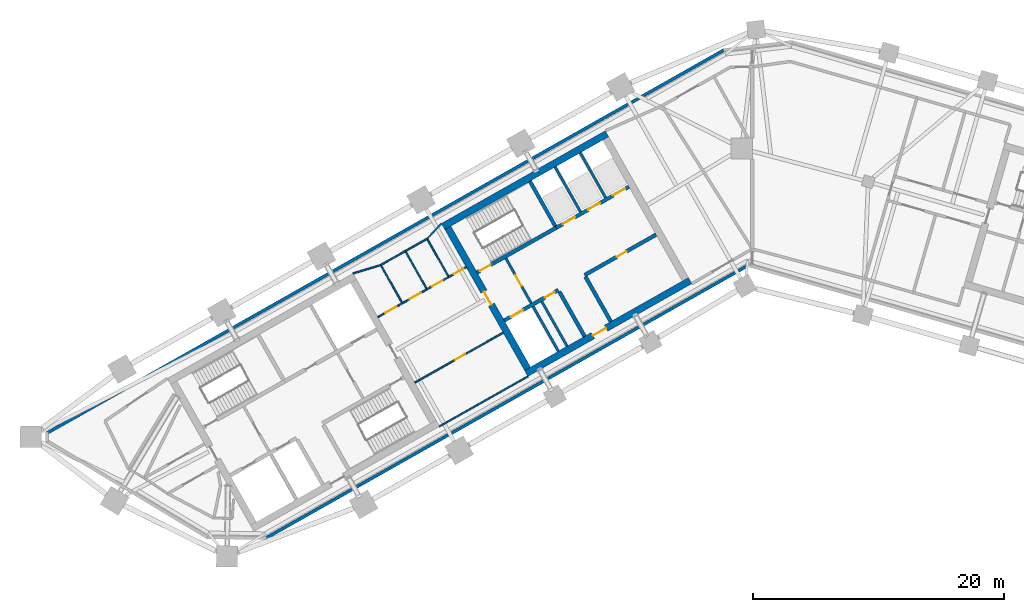
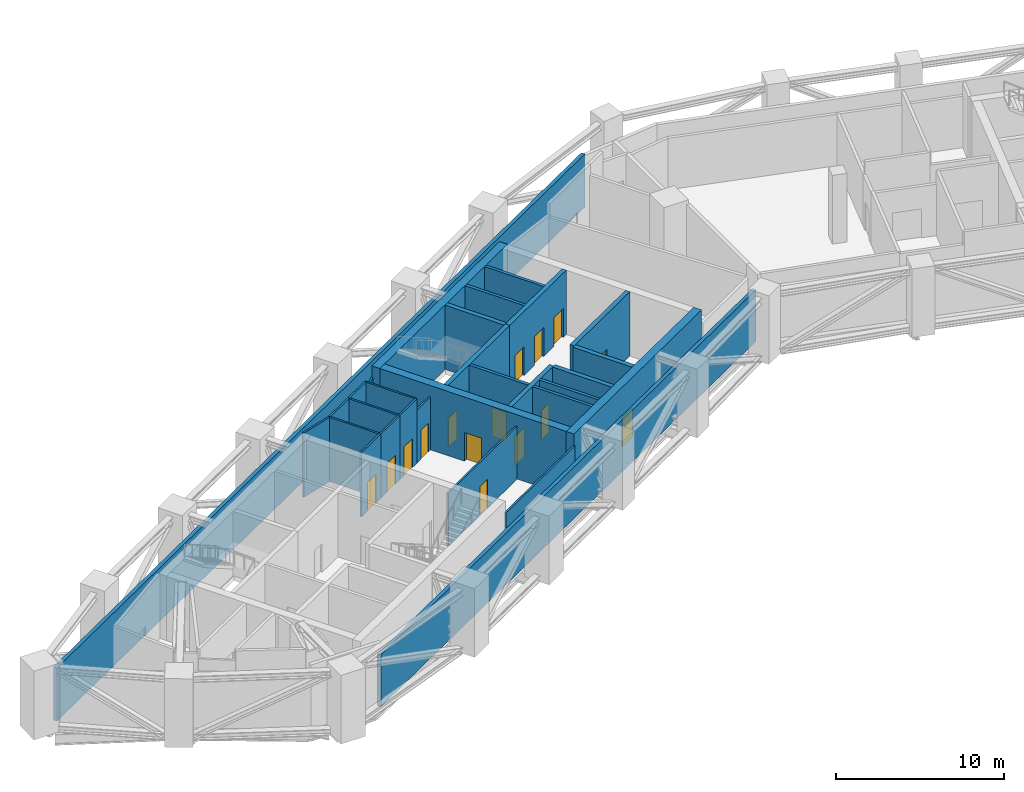
# One storey, part 10 of 16: 30 walls, 15 doors, 15 openings.
"""IFC4 building model written with IfcOpenShell, lengths in metres."""

import ifcopenshell
import ifcopenshell.guid

model = None  # the IFC model being written
_history = None  # IfcOwnerHistory: only IFC2X3 demands one
_inside = {}  # id of a spatial element -> (the spatial element, [elements in it])
_under = {}  # id of a project, library or spatial element -> (it, [spatial elements below it])
_declared = {}  # id of a project -> (the project, [libraries it declares])
_typed = {}  # id of a type object -> (the type object, [elements of that type])
_made_of = {}  # id of a material, layer set ... -> (it, [elements and type objects made of it])


def new_model(schema):
    """Start an empty IFC model of exactly this schema.

    Asked for "IFC4X3", IfcOpenShell would pick the latest addendum, in which some entities
    have other attributes; the version numbers below select the first issue.
    IFC2X3 requires an IfcOwnerHistory on every rooted entity: one is made here for all.
    """
    global model, _history
    if schema == "IFC4X3":
        model = ifcopenshell.file(schema_version=(4, 3, 0, 0))
    else:
        model = ifcopenshell.file(schema=schema)
    _inside.clear()
    _under.clear()
    _declared.clear()
    _typed.clear()
    _made_of.clear()
    _history = None
    if model.schema == "IFC2X3":
        org = make("IfcOrganization", Name="unknown")
        user = make(
            "IfcPersonAndOrganization",
            ThePerson=make("IfcPerson", FamilyName="unknown"),
            TheOrganization=org,
        )
        app = make(
            "IfcApplication",
            ApplicationDeveloper=org,
            Version="unknown",
            ApplicationFullName="unknown",
            ApplicationIdentifier="unknown",
        )
        _history = make(
            "IfcOwnerHistory",
            OwningUser=user,
            OwningApplication=app,
            ChangeAction="ADDED",
            CreationDate=0,
        )
    return model


def make(cls, **values):
    """One entity of the class cls with the attributes given. An attribute that is None is left unset."""
    return model.create_entity(
        cls, **{name: value for name, value in values.items() if value is not None}
    )


def rooted(cls, **values):
    """An entity with a GlobalId (a new one), such as an element, a storey or a relation."""
    return make(cls, GlobalId=ifcopenshell.guid.new(), OwnerHistory=_history, **values)


def si_unit(unit_type, name, prefix=None):
    """IfcSIUnit, for example si_unit("LENGTHUNIT", "METRE", prefix="MILLI")."""
    return make("IfcSIUnit", UnitType=unit_type, Prefix=prefix, Name=name)


def assignment(units):
    """IfcUnitAssignment: the units of a project."""
    return None if units is None else make("IfcUnitAssignment", Units=units)


def point(xyz):
    """IfcCartesianPoint."""
    return None if xyz is None else make("IfcCartesianPoint", Coordinates=xyz)


def direction(xyz):
    """IfcDirection."""
    return None if xyz is None else make("IfcDirection", DirectionRatios=xyz)


def frame(location, z_axis=None, x_axis=None):
    """IfcAxis2Placement3D, a coordinate frame: its origin and axes. An axis left out is left unset."""
    return make(
        "IfcAxis2Placement3D",
        Location=point(location),
        Axis=direction(z_axis),
        RefDirection=direction(x_axis),
    )


def frame_2d(location, x_axis=None):
    """IfcAxis2Placement2D, a coordinate frame in the plane: its origin and x axis."""
    return make(
        "IfcAxis2Placement2D", Location=point(location), RefDirection=direction(x_axis)
    )


def origin():
    """The frame at (0, 0, 0) with its axes left unset."""
    return frame((0.0, 0.0, 0.0))


def place(relative_to, where):
    """IfcLocalPlacement: puts the frame where relative to a parent placement (None: the world)."""
    return make(
        "IfcLocalPlacement", PlacementRelTo=relative_to, RelativePlacement=where
    )


def context(
    kind, dimensions, precision=None, world=None, true_north=None, identifier=None
):
    """IfcGeometricRepresentationContext, for example the 3D "Model" context."""
    return make(
        "IfcGeometricRepresentationContext",
        ContextIdentifier=identifier,
        ContextType=kind,
        CoordinateSpaceDimension=dimensions,
        Precision=precision,
        WorldCoordinateSystem=world,
        TrueNorth=true_north,
    )


def subcontext(parent, identifier, kind, view, scale=None):
    """IfcGeometricRepresentationSubContext, for example "Body" below "Model"."""
    return make(
        "IfcGeometricRepresentationSubContext",
        ContextIdentifier=identifier,
        ContextType=kind,
        ParentContext=parent,
        TargetScale=scale,
        TargetView=view,
    )


def project(units=None, contexts=None):
    """IfcProject with its units and contexts."""
    return rooted(
        "IfcProject",
        Name="project",
        RepresentationContexts=contexts,
        UnitsInContext=assignment(units),
    )


def spatial(cls, under=None, at=None, **own):
    """A site, building, storey or space (cls), placed at a placement, below another one or the project."""
    s = rooted(cls, ObjectPlacement=at, **own)
    if under is not None:
        _under.setdefault(under.id(), (under, []))[1].append(s)
    return s


def profile(cls, at=None, kind="AREA", **sizes):
    """A parametric profile (cls). Its sizes go by their IFC names, for example OverallWidth=200.0."""
    return make(cls, ProfileType=kind, Position=at, **sizes)


def rectangle(**sizes):
    """IfcRectangleProfileDef."""
    return profile("IfcRectangleProfileDef", **sizes)


def extrude(swept, where, along, depth):
    """IfcExtrudedAreaSolid: the profile swept, set in the frame where, extruded along a direction by depth."""
    return make(
        "IfcExtrudedAreaSolid",
        SweptArea=swept,
        Position=where,
        ExtrudedDirection=direction(along),
        Depth=depth,
    )


def shape(context_of_items, identifier, shape_type, items):
    """IfcShapeRepresentation: the items that make up one representation, for example the "Body"."""
    return make(
        "IfcShapeRepresentation",
        ContextOfItems=context_of_items,
        RepresentationIdentifier=identifier,
        RepresentationType=shape_type,
        Items=items,
    )


def material(Name=None, Category=None):
    """IfcMaterial."""
    return make("IfcMaterial", Name=Name, Category=Category)


def layer(
    of_material, thickness, ventilated=None, Name=None, Category=None, Priority=None
):
    """IfcMaterialLayer: one layer of a wall or slab, of a material (None: an air gap)."""
    return make(
        "IfcMaterialLayer",
        Material=of_material,
        LayerThickness=thickness,
        IsVentilated=ventilated,
        Name=Name,
        Category=Category,
        Priority=Priority,
    )


def layer_set(layers, Name=None):
    """IfcMaterialLayerSet."""
    return make("IfcMaterialLayerSet", MaterialLayers=layers, LayerSetName=Name)


def made_of(thing, what):
    """Note that an element or type object is made of a material, layer set ...; save() writes the relation."""
    if what is not None:
        _made_of.setdefault(what.id(), (what, []))[1].append(thing)
    return thing


def type_object(cls, material=None, **own):
    """A type object (cls), such as IfcWallType, which elements share."""
    return made_of(rooted(cls, **own), material)


def element(
    cls,
    number,
    at=None,
    inside=None,
    cuts=None,
    type_object=None,
    material=None,
    context=None,
    identifier="Body",
    shape_type=None,
    held_by="IfcProductDefinitionShape",
    body=None,
    shapes=None,
    **own,
):
    """One element of the class cls, such as IfcWall. Its Tag is "e" and its number.

    at: its placement. inside: the storey or other place that contains it. cuts: it is an
    opening in that element (IfcRelVoidsElement). A single representation is given by context,
    identifier, shape_type and body (its items); several are given by shapes. held_by: the class
    of the entity that holds the representations. save() writes the other relations.
    """
    e = rooted(cls, Tag="e%d" % number, ObjectPlacement=at, **own)
    if body is not None:
        shapes = [shape(context, identifier, shape_type, body)]
    if shapes is not None:
        e.Representation = make(held_by, Representations=shapes)
    if inside is not None:
        _inside.setdefault(inside.id(), (inside, []))[1].append(e)
    if cuts is not None:
        rooted(
            "IfcRelVoidsElement", RelatingBuildingElement=cuts, RelatedOpeningElement=e
        )
    if type_object is not None:
        _typed.setdefault(type_object.id(), (type_object, []))[1].append(e)
    return made_of(e, material)


def fill(opening, filler):
    """IfcRelFillsElement: the door or window that sits in an opening."""
    return rooted(
        "IfcRelFillsElement",
        RelatingOpeningElement=opening,
        RelatedBuildingElement=filler,
    )


def aggregate(whole, parts):
    """IfcRelAggregates: a whole, such as a stair, and the parts it consists of."""
    return rooted("IfcRelAggregates", RelatingObject=whole, RelatedObjects=parts)


def save(model, path):
    """Write the relations noted so far, then the file.

    IfcRelAggregates (storeys below a building ...), IfcRelContainedInSpatialStructure (elements
    in a storey), IfcRelDefinesByType, IfcRelAssociatesMaterial and IfcRelDeclares: one each for
    every whole, place, type object, material and project.
    """
    for whole, parts in _under.values():
        aggregate(whole, parts)
    for where, things in _inside.values():
        rooted(
            "IfcRelContainedInSpatialStructure",
            RelatedElements=things,
            RelatingStructure=where,
        )
    for kind, things in _typed.values():
        rooted("IfcRelDefinesByType", RelatedObjects=things, RelatingType=kind)
    for what, things in _made_of.values():
        rooted("IfcRelAssociatesMaterial", RelatedObjects=things, RelatingMaterial=what)
    for by, libraries in _declared.values():
        rooted("IfcRelDeclares", RelatingContext=by, RelatedDefinitions=libraries)
    model.write(path)


model = new_model("IFC4")

# Units and contexts
model_context = context("Model", 3, precision=1e-05, world=origin(), true_north=direction((0.0, 1.0)))
body_context = subcontext(model_context, "Body", "Model", "MODEL_VIEW")
ifc_project = project(units=[si_unit("LENGTHUNIT", "METRE"), si_unit("AREAUNIT", "SQUARE_METRE"), si_unit("VOLUMEUNIT", "CUBIC_METRE"), si_unit("PLANEANGLEUNIT", "RADIAN"), si_unit("MASSUNIT", "GRAM", prefix="KILO")], contexts=[model_context])

# Site, building, storey
site_placement = place(None, origin())
site = spatial("IfcSite", under=ifc_project, at=site_placement, CompositionType="ELEMENT")
building_placement = place(site_placement, origin())
building = spatial("IfcBuilding", under=site, at=building_placement, Name="Binnacle Exchange Tower", CompositionType="ELEMENT")
storey_placement = place(building_placement, frame((0.0, 0.0, 149.89990234375)))
storey = spatial("IfcBuildingStorey", under=building, at=storey_placement, Name="L31", CompositionType="ELEMENT", Elevation=149.89990234375)

# Wall, openings, doors
ifc_material_1 = material(Name="Concrete C70/85", Category="concrete")
ifc_layer_1 = layer(ifc_material_1, 0.300048828125)
ifc_layer_set_1 = layer_set([ifc_layer_1], Name="Core wall - front 300")
wall_type_1 = type_object("IfcWallType", Name="Core wall - front 300", PredefinedType="SOLIDWALL", material=ifc_layer_set_1)
wall_1_placement = place(storey_placement, frame((-19.76171875, 46.291748046875, 0.0), z_axis=(0.0, 0.0, 1.0), x_axis=(0.870359758983, 0.49241637863, 0.0)))
wall_1 = element("IfcWall", 1, at=wall_1_placement, inside=storey, type_object=wall_type_1, Name="Core wall CRWC2", PredefinedType="SOLIDWALL", context=body_context, shape_type="SweptSolid", body=[
    extrude(rectangle(XDim=4.9501953125, YDim=0.300048828125, at=frame_2d((2.47509765625, 0.0))), origin(), (0.0, 0.0, 1.0), 4.68017578125),
])
opening_1_placement = place(wall_1_placement, frame((0.60009765625, 0.0, 0.0)))
opening_1 = element("IfcOpeningElement", 2, at=opening_1_placement, cuts=wall_1, Name="Opening LD14", PredefinedType="OPENING", context=body_context, shape_type="SweptSolid", body=[
    extrude(rectangle(XDim=1.10009765625, YDim=2.10009765625, at=frame_2d((0.550048828125, 1.050048828125))), frame((0.0, 0.159912109375, 0.0), z_axis=(0.0, -1.0, 0.0), x_axis=(1.0, 0.0, 0.0)), (0.0, 0.0, 1.0), 0.320068359375),
])
opening_2_placement = place(wall_1_placement, frame((3.699951171875, 0.0, 0.0)))
opening_2 = element("IfcOpeningElement", 3, at=opening_2_placement, cuts=wall_1, Name="Opening DC14", PredefinedType="OPENING", context=body_context, shape_type="SweptSolid", body=[
    extrude(rectangle(XDim=0.89990234375, YDim=2.10009765625, at=frame_2d((0.449951171875, 1.050048828125))), frame((0.0, 0.159912109375, 0.0), z_axis=(0.0, -1.0, 0.0), x_axis=(1.0, 0.0, 0.0)), (0.0, 0.0, 1.0), 0.320068359375),
])
ifc_material_2 = material(Name="Steel door leaf", Category="steel")
door_type_1 = type_object("IfcDoorType", Name="Fire door - lift landing 1100", OperationType="NOTDEFINED", PredefinedType="DOOR", material=ifc_material_2)
door_1_placement = place(opening_1_placement, origin())
door_1 = element("IfcDoor", 4, at=door_1_placement, inside=storey, type_object=door_type_1, Name="Landing door LD14 L31", OperationType="DOUBLE_DOOR_SLIDING", OverallHeight=2.10009765625, OverallWidth=1.10009765625, PredefinedType="DOOR", context=body_context, shape_type="SweptSolid", body=[
    extrude(rectangle(XDim=1.10009765625, YDim=2.10009765625, at=frame_2d((0.550048828125, 1.050048828125))), frame((0.0, 0.02490234375, 0.0), z_axis=(0.0, -1.0, 0.0), x_axis=(1.0, 0.0, 0.0)), (0.0, 0.0, 1.0), 0.050048828125),
])
fill(opening_1, door_1)
door_type_2 = type_object("IfcDoorType", Name="Fire door 900", OperationType="NOTDEFINED", PredefinedType="DOOR", material=ifc_material_2)
door_2_placement = place(opening_2_placement, frame((0.89990234375, 0.0, 0.0), z_axis=(0.0, 0.0, 1.0), x_axis=(-1.0, 0.0, 0.0)))
door_2 = element("IfcDoor", 5, at=door_2_placement, inside=storey, type_object=door_type_2, Name="Core room door COMMS RISER ROOM", OperationType="SINGLE_SWING_LEFT", OverallHeight=2.10009765625, OverallWidth=0.89990234375, PredefinedType="DOOR", context=body_context, shape_type="SweptSolid", body=[
    extrude(rectangle(XDim=0.89990234375, YDim=2.10009765625, at=frame_2d((0.449951171875, 1.050048828125))), frame((0.0, 0.02490234375, 0.0), z_axis=(0.0, -1.0, 0.0), x_axis=(1.0, 0.0, 0.0)), (0.0, 0.0, 1.0), 0.050048828125),
])
fill(opening_2, door_2)

# Wall, opening, door
wall_2_placement = place(storey_placement, frame((-13.364501953125, 49.910888671875, 0.0), z_axis=(0.0, 0.0, 1.0), x_axis=(0.870336435567, 0.492457601144, 0.0)))
wall_2 = element("IfcWall", 6, at=wall_2_placement, inside=storey, type_object=wall_type_1, Name="Core wall CRWC3", PredefinedType="SOLIDWALL", context=body_context, shape_type="SweptSolid", body=[
    extrude(rectangle(XDim=6.550048828125, YDim=0.300048828125, at=frame_2d((3.27490234375, 0.0))), origin(), (0.0, 0.0, 1.0), 4.68017578125),
])
opening_3_placement = place(wall_2_placement, frame((2.949951171875, 0.0, 0.0)))
opening_3 = element("IfcOpeningElement", 7, at=opening_3_placement, cuts=wall_2, Name="Opening DC18", PredefinedType="OPENING", context=body_context, shape_type="SweptSolid", body=[
    extrude(rectangle(XDim=0.89990234375, YDim=2.10009765625, at=frame_2d((0.449951171875, 1.050048828125))), frame((0.0, 0.159912109375, 0.0), z_axis=(0.0, -1.0, 0.0), x_axis=(1.0, 0.0, 0.0)), (0.0, 0.0, 1.0), 0.320068359375),
])
door_3_placement = place(opening_3_placement, frame((0.89990234375, 0.0, 0.0), z_axis=(0.0, 0.0, 1.0), x_axis=(-1.0, 0.0, 0.0)))
door_3 = element("IfcDoor", 8, at=door_3_placement, inside=storey, type_object=door_type_2, Name="Core room door SPARES STORE", OperationType="SINGLE_SWING_LEFT", OverallHeight=2.10009765625, OverallWidth=0.89990234375, PredefinedType="DOOR", context=body_context, shape_type="SweptSolid", body=[
    extrude(rectangle(XDim=0.89990234375, YDim=2.10009765625, at=frame_2d((0.449951171875, 1.050048828125))), frame((0.0, 0.02490234375, 0.0), z_axis=(0.0, -1.0, 0.0), x_axis=(1.0, 0.0, 0.0)), (0.0, 0.0, 1.0), 0.050048828125),
])
fill(opening_3, door_3)

# Wall, openings, doors
wall_3_placement = place(storey_placement, frame((-15.6181640625, 53.69140625, 0.0), z_axis=(0.0, 0.0, 1.0), x_axis=(0.870367894134, 0.492401999246, 0.0)))
wall_3 = element("IfcWall", 9, at=wall_3_placement, inside=storey, type_object=wall_type_1, Name="Core wall CRWC5", PredefinedType="SOLIDWALL", context=body_context, shape_type="SweptSolid", body=[
    extrude(rectangle(XDim=6.64990234375, YDim=0.300048828125, at=frame_2d((3.324951171875, 0.0))), origin(), (0.0, 0.0, 1.0), 4.68017578125),
])
opening_4_placement = place(wall_3_placement, frame((0.60009765625, 0.0, 0.0)))
opening_4 = element("IfcOpeningElement", 10, at=opening_4_placement, cuts=wall_3, Name="Opening LD5", PredefinedType="OPENING", context=body_context, shape_type="SweptSolid", body=[
    extrude(rectangle(XDim=1.10009765625, YDim=2.10009765625, at=frame_2d((0.550048828125, 1.050048828125))), frame((0.0, 0.159912109375, 0.0), z_axis=(0.0, -1.0, 0.0), x_axis=(1.0, 0.0, 0.0)), (0.0, 0.0, 1.0), 0.320068359375),
])
opening_5_placement = place(wall_3_placement, frame((2.89990234375, 0.0, 0.0)))
opening_5 = element("IfcOpeningElement", 11, at=opening_5_placement, cuts=wall_3, Name="Opening LD6", PredefinedType="OPENING", context=body_context, shape_type="SweptSolid", body=[
    extrude(rectangle(XDim=1.10009765625, YDim=2.10009765625, at=frame_2d((0.550048828125, 1.050048828125))), frame((0.0, 0.159912109375, 0.0), z_axis=(0.0, -1.0, 0.0), x_axis=(1.0, 0.0, 0.0)), (0.0, 0.0, 1.0), 0.320068359375),
])
opening_6_placement = place(wall_3_placement, frame((5.199951171875, 0.0, 0.0)))
opening_6 = element("IfcOpeningElement", 12, at=opening_6_placement, cuts=wall_3, Name="Opening LD7", PredefinedType="OPENING", context=body_context, shape_type="SweptSolid", body=[
    extrude(rectangle(XDim=1.10009765625, YDim=2.10009765625, at=frame_2d((0.550048828125, 1.050048828125))), frame((0.0, 0.159912109375, 0.0), z_axis=(0.0, -1.0, 0.0), x_axis=(1.0, 0.0, 0.0)), (0.0, 0.0, 1.0), 0.320068359375),
])
door_4_placement = place(opening_4_placement, origin())
door_4 = element("IfcDoor", 13, at=door_4_placement, inside=storey, type_object=door_type_1, Name="Landing door LD5 L31", OperationType="DOUBLE_DOOR_SLIDING", OverallHeight=2.10009765625, OverallWidth=1.10009765625, PredefinedType="DOOR", context=body_context, shape_type="SweptSolid", body=[
    extrude(rectangle(XDim=1.10009765625, YDim=2.10009765625, at=frame_2d((0.550048828125, 1.050048828125))), frame((0.0, 0.02490234375, 0.0), z_axis=(0.0, -1.0, 0.0), x_axis=(1.0, 0.0, 0.0)), (0.0, 0.0, 1.0), 0.050048828125),
])
fill(opening_4, door_4)
door_5_placement = place(opening_5_placement, origin())
door_5 = element("IfcDoor", 14, at=door_5_placement, inside=storey, type_object=door_type_1, Name="Landing door LD6 L31", OperationType="DOUBLE_DOOR_SLIDING", OverallHeight=2.10009765625, OverallWidth=1.10009765625, PredefinedType="DOOR", context=body_context, shape_type="SweptSolid", body=[
    extrude(rectangle(XDim=1.10009765625, YDim=2.10009765625, at=frame_2d((0.550048828125, 1.050048828125))), frame((0.0, 0.02490234375, 0.0), z_axis=(0.0, -1.0, 0.0), x_axis=(1.0, 0.0, 0.0)), (0.0, 0.0, 1.0), 0.050048828125),
])
fill(opening_5, door_5)
door_6_placement = place(opening_6_placement, origin())
door_6 = element("IfcDoor", 15, at=door_6_placement, inside=storey, type_object=door_type_1, Name="Landing door LD7 L31", OperationType="DOUBLE_DOOR_SLIDING", OverallHeight=2.10009765625, OverallWidth=1.10009765625, PredefinedType="DOOR", context=body_context, shape_type="SweptSolid", body=[
    extrude(rectangle(XDim=1.10009765625, YDim=2.10009765625, at=frame_2d((0.550048828125, 1.050048828125))), frame((0.0, 0.02490234375, 0.0), z_axis=(0.0, -1.0, 0.0), x_axis=(1.0, 0.0, 0.0)), (0.0, 0.0, 1.0), 0.050048828125),
])
fill(opening_6, door_6)

# Walls
wall_4_placement = place(storey_placement, frame((-15.37939453125, 48.5986328125, 0.0), z_axis=(0.0, 0.0, 1.0), x_axis=(0.492408451753, -0.87036424366, 0.0)))
element("IfcWall", 16, at=wall_4_placement, inside=storey, type_object=wall_type_1, Name="Core wall CRWC13", PredefinedType="SOLIDWALL", context=body_context, shape_type="SweptSolid", body=[
    extrude(rectangle(XDim=4.099853515625, YDim=0.300048828125, at=frame_2d((2.0498046875, 0.0))), origin(), (0.0, 0.0, 1.0), 4.68017578125),
])
wall_5_placement = place(storey_placement, frame((-13.29052734375, 49.780517578125, 0.0), z_axis=(0.0, 0.0, 1.0), x_axis=(0.492382931784, -0.870378681085, 0.0)))
element("IfcWall", 17, at=wall_5_placement, inside=storey, type_object=wall_type_1, Name="Core wall CRWC15", PredefinedType="SOLIDWALL", context=body_context, shape_type="SweptSolid", body=[
    extrude(rectangle(XDim=4.10009765625, YDim=0.300048828125, at=frame_2d((2.050048828125, 0.0))), origin(), (0.0, 0.0, 1.0), 4.68017578125),
])

# Wall, opening, door
ifc_layer_2 = layer(ifc_material_1, 0.550048828125)
ifc_layer_set_2 = layer_set([ifc_layer_2], Name="Core wall - outer 550")
wall_type_2 = type_object("IfcWallType", Name="Core wall - outer 550", PredefinedType="SOLIDWALL", material=ifc_layer_set_2)
wall_6_placement = place(storey_placement, frame((-18.01220703125, 42.08251953125, 0.0), z_axis=(0.0, 0.0, 1.0), x_axis=(0.870360574057, 0.492414937962, 0.0)))
wall_6 = element("IfcWall", 18, at=wall_6_placement, inside=storey, type_object=wall_type_2, Name="Core wall CRWC1", PredefinedType="SOLIDWALL", context=body_context, shape_type="SweptSolid", body=[
    extrude(rectangle(XDim=15.0, YDim=0.550048828125, at=frame_2d((7.5, 0.0))), origin(), (0.0, 0.0, 1.0), 4.68017578125),
])
opening_7_placement = place(wall_6_placement, frame((6.10009765625, 0.0, 0.0)))
opening_7 = element("IfcOpeningElement", 19, at=opening_7_placement, cuts=wall_6, Name="Opening DC7", PredefinedType="OPENING", context=body_context, shape_type="SweptSolid", body=[
    extrude(rectangle(XDim=1.199951171875, YDim=2.10009765625, at=frame_2d((0.60009765625, 1.050048828125))), frame((0.0, 0.284912109375, 0.0), z_axis=(0.0, -1.0, 0.0), x_axis=(1.0, 0.0, 0.0)), (0.0, 0.0, 1.0), 0.570068359375),
])
door_type_3 = type_object("IfcDoorType", Name="Fire door 1200", OperationType="NOTDEFINED", PredefinedType="DOOR", material=ifc_material_2)
door_7_placement = place(opening_7_placement, frame((1.199951171875, 0.0, 0.0), z_axis=(0.0, 0.0, 1.0), x_axis=(-1.0, 0.0, 0.0)))
door_7 = element("IfcDoor", 20, at=door_7_placement, inside=storey, type_object=door_type_3, Name="Lift lobby entrance door core C", OperationType="SINGLE_SWING_RIGHT", OverallHeight=2.10009765625, OverallWidth=1.199951171875, PredefinedType="DOOR", context=body_context, shape_type="SweptSolid", body=[
    extrude(rectangle(XDim=1.199951171875, YDim=2.10009765625, at=frame_2d((0.60009765625, 1.050048828125))), frame((0.0, 0.02490234375, 0.0), z_axis=(0.0, -1.0, 0.0), x_axis=(1.0, 0.0, 0.0)), (0.0, 0.0, 1.0), 0.050048828125),
])
fill(opening_7, door_7)

# Wall
wall_7_placement = place(storey_placement, frame((-24.63525390625, 53.788818359375, 0.0), z_axis=(0.0, 0.0, 1.0), x_axis=(0.870360574057, 0.492414937962, 0.0)))
element("IfcWall", 21, at=wall_7_placement, inside=storey, type_object=wall_type_2, Name="Core wall CRWC6", PredefinedType="SOLIDWALL", context=body_context, shape_type="SweptSolid", body=[
    extrude(rectangle(XDim=15.0, YDim=0.550048828125, at=frame_2d((7.5, 0.0))), origin(), (0.0, 0.0, 1.0), 4.68017578125),
])

# Wall, opening, door
wall_8_placement = place(storey_placement, frame((-24.260498046875, 53.684814453125, 0.0), z_axis=(0.0, 0.0, 1.0), x_axis=(0.492427022044, -0.870353737259, 0.0)))
wall_8 = element("IfcWall", 22, at=wall_8_placement, inside=storey, type_object=wall_type_2, Name="Core wall CRWC7", PredefinedType="SOLIDWALL", context=body_context, shape_type="SweptSolid", body=[
    extrude(rectangle(XDim=12.89990234375, YDim=0.550048828125, at=frame_2d((6.449951171875, 0.0))), origin(), (0.0, 0.0, 1.0), 4.68017578125),
])
opening_8_placement = place(wall_8_placement, frame((5.849853515625, 0.0, 0.0)))
opening_8 = element("IfcOpeningElement", 23, at=opening_8_placement, cuts=wall_8, Name="Opening DC5", PredefinedType="OPENING", context=body_context, shape_type="SweptSolid", body=[
    extrude(rectangle(XDim=1.199951171875, YDim=2.10009765625, at=frame_2d((0.60009765625, 1.050048828125))), frame((0.0, 0.284912109375, 0.0), z_axis=(0.0, -1.0, 0.0), x_axis=(1.0, 0.0, 0.0)), (0.0, 0.0, 1.0), 0.570068359375),
])
door_8_placement = place(opening_8_placement, frame((1.199951171875, 0.0, 0.0), z_axis=(0.0, 0.0, 1.0), x_axis=(-1.0, 0.0, 0.0)))
door_8 = element("IfcDoor", 24, at=door_8_placement, inside=storey, type_object=door_type_3, Name="Vestibule exit door VEST-W", OperationType="SINGLE_SWING_RIGHT", OverallHeight=2.10009765625, OverallWidth=1.199951171875, PredefinedType="DOOR", context=body_context, shape_type="SweptSolid", body=[
    extrude(rectangle(XDim=1.199951171875, YDim=2.10009765625, at=frame_2d((0.60009765625, 1.050048828125))), frame((0.0, 0.02490234375, 0.0), z_axis=(0.0, -1.0, 0.0), x_axis=(1.0, 0.0, 0.0)), (0.0, 0.0, 1.0), 0.050048828125),
])
fill(opening_8, door_8)

ifc_layer_3 = layer(ifc_material_1, 0.300048828125)
ifc_layer_set_3 = layer_set([ifc_layer_3], Name="Core wall - stair 300")
wall_type_3 = type_object("IfcWallType", Name="Core wall - stair 300", PredefinedType="SOLIDWALL", material=ifc_layer_set_3)
wall_9_placement = place(storey_placement, frame((-21.92822265625, 50.12109375, 0.0), z_axis=(0.0, 0.0, 1.0), x_axis=(0.870340732628, 0.49245000673, 0.0)))
wall_9 = element("IfcWall", 25, at=wall_9_placement, inside=storey, type_object=wall_type_3, Name="Core wall CRWC4", PredefinedType="SOLIDWALL", context=body_context, shape_type="SweptSolid", body=[
    extrude(rectangle(XDim=7.25, YDim=0.300048828125, at=frame_2d((3.625, 0.0))), origin(), (0.0, 0.0, 1.0), 4.68017578125),
])
opening_9_placement = place(wall_9_placement, frame((0.25, 0.0, 0.0)))
opening_9 = element("IfcOpeningElement", 26, at=opening_9_placement, cuts=wall_9, Name="Opening DC1", PredefinedType="OPENING", context=body_context, shape_type="SweptSolid", body=[
    extrude(rectangle(XDim=1.0, YDim=2.10009765625, at=frame_2d((0.5, 1.050048828125))), frame((0.0, 0.159912109375, 0.0), z_axis=(0.0, -1.0, 0.0), x_axis=(1.0, 0.0, 0.0)), (0.0, 0.0, 1.0), 0.320068359375),
])
door_type_4 = type_object("IfcDoorType", Name="Fire door 1000", OperationType="NOTDEFINED", PredefinedType="DOOR", material=ifc_material_2)
door_9_placement = place(opening_9_placement, origin())
door_9 = element("IfcDoor", 27, at=door_9_placement, inside=storey, type_object=door_type_4, Name="Stair door ST-C1", OperationType="SINGLE_SWING_LEFT", OverallHeight=2.10009765625, OverallWidth=1.0, PredefinedType="DOOR", context=body_context, shape_type="SweptSolid", body=[
    extrude(rectangle(XDim=1.0, YDim=2.10009765625, at=frame_2d((0.5, 1.050048828125))), frame((0.0, 0.02490234375, 0.0), z_axis=(0.0, -1.0, 0.0), x_axis=(1.0, 0.0, 0.0)), (0.0, 0.0, 1.0), 0.050048828125),
])
fill(opening_9, door_9)

# Walls
wall_10_placement = place(storey_placement, frame((-17.7109375, 57.390380859375, 0.0), z_axis=(0.0, 0.0, 1.0), x_axis=(0.492408451753, -0.87036424366, 0.0)))
element("IfcWall", 28, at=wall_10_placement, inside=storey, type_object=wall_type_3, Name="Core wall CRWC14", PredefinedType="SOLIDWALL", context=body_context, shape_type="SweptSolid", body=[
    extrude(rectangle(XDim=4.099853515625, YDim=0.300048828125, at=frame_2d((2.0498046875, 0.0))), origin(), (0.0, 0.0, 1.0), 4.68017578125),
])
ifc_material_3 = material(Name="Bronze aluminium louvre", Category="aluminium")
ifc_layer_4 = layer(ifc_material_3, 0.25)
ifc_layer_set_4 = layer_set([ifc_layer_4], Name="External wall - plant floor louvre 250")
wall_type_4 = type_object("IfcWallType", Name="External wall - plant floor louvre 250", PredefinedType="STANDARD", material=ifc_layer_set_4)
wall_11_placement = place(storey_placement, frame((-56.251220703125, 37.30224609375, 0.0), z_axis=(0.0, 0.0, 1.0), x_axis=(0.87035543516, 0.49242402103, 0.0)))
element("IfcWall", 29, at=wall_11_placement, inside=storey, type_object=wall_type_4, Name="External wall EW-Fm02 L31", PredefinedType="STANDARD", context=body_context, shape_type="SweptSolid", body=[
    extrude(rectangle(XDim=62.06689453125, YDim=0.25, at=frame_2d((31.033447265625, 0.0))), origin(), (0.0, 0.0, 1.0), 3.8720703125),
])
wall_12_placement = place(storey_placement, frame((-0.3642578125, 50.666259765625, 0.0), z_axis=(0.0, 0.0, 1.0), x_axis=(-0.870355021882, -0.492424751494, 0.0)))
element("IfcWall", 30, at=wall_12_placement, inside=storey, type_object=wall_type_4, Name="External wall EW-Fm06 L31", PredefinedType="STANDARD", context=body_context, shape_type="SweptSolid", body=[
    extrude(rectangle(XDim=44.12646484375, YDim=0.25, at=frame_2d((22.063232421875, 0.0))), origin(), (0.0, 0.0, 1.0), 3.76806640625),
])

# Wall, opening, door
ifc_material_4 = material(Name="Masonry block wall", Category="masonry")
ifc_layer_5 = layer(ifc_material_4, 0.199951171875)
ifc_layer_set_5 = layer_set([ifc_layer_5], Name="Fire wall - vestibule 200")
wall_type_5 = type_object("IfcWallType", Name="Fire wall - vestibule 200", PredefinedType="PARTITIONING", material=ifc_layer_set_5)
wall_13_placement = place(storey_placement, frame((-19.635009765625, 51.246337890625, 0.0), z_axis=(0.0, 0.0, 1.0), x_axis=(0.492408451753, -0.87036424366, 0.0)))
wall_13 = element("IfcWall", 31, at=wall_13_placement, inside=storey, type_object=wall_type_5, Name="Core wall CRWC10", PredefinedType="PARTITIONING", context=body_context, shape_type="SweptSolid", body=[
    extrude(rectangle(XDim=4.099853515625, YDim=0.199951171875, at=frame_2d((2.0498046875, 0.0))), origin(), (0.0, 0.0, 1.0), 4.68017578125),
])
opening_10_placement = place(wall_13_placement, frame((1.550048828125, 0.0, 0.0)))
opening_10 = element("IfcOpeningElement", 32, at=opening_10_placement, cuts=wall_13, Name="Opening DC3", PredefinedType="OPENING", context=body_context, shape_type="SweptSolid", body=[
    extrude(rectangle(XDim=1.0, YDim=2.10009765625, at=frame_2d((0.5, 1.050048828125))), frame((0.0, 0.10986328125, 0.0), z_axis=(0.0, -1.0, 0.0), x_axis=(1.0, 0.0, 0.0)), (0.0, 0.0, 1.0), 0.219970703125),
])
door_10_placement = place(opening_10_placement, frame((1.0, 0.0, 0.0), z_axis=(0.0, 0.0, 1.0), x_axis=(-1.0, 0.0, 0.0)))
door_10 = element("IfcDoor", 33, at=door_10_placement, inside=storey, type_object=door_type_4, Name="Vestibule door VEST-W", OperationType="SINGLE_SWING_RIGHT", OverallHeight=2.10009765625, OverallWidth=1.0, PredefinedType="DOOR", context=body_context, shape_type="SweptSolid", body=[
    extrude(rectangle(XDim=1.0, YDim=2.10009765625, at=frame_2d((0.5, 1.050048828125))), frame((0.0, 0.02490234375, 0.0), z_axis=(0.0, -1.0, 0.0), x_axis=(1.0, 0.0, 0.0)), (0.0, 0.0, 1.0), 0.050048828125),
])
fill(opening_10, door_10)

# Wall
ifc_material_5 = material(Name="Gypsum partition")
ifc_layer_6 = layer(ifc_material_5, 0.125)
ifc_layer_set_6 = layer_set([ifc_layer_6], Name="Partition 125")
wall_type_6 = type_object("IfcWallType", Name="Partition 125", PredefinedType="PARTITIONING", material=ifc_layer_set_6)
wall_14_placement = place(storey_placement, frame((-31.81201171875, 50.0439453125, 0.0), z_axis=(0.0, 0.0, 1.0), x_axis=(0.956397612161, 0.292067813107, 0.0)))
element("IfcWall", 34, at=wall_14_placement, inside=storey, type_object=wall_type_6, Name="Partition W14", PredefinedType="PARTITIONING", context=body_context, shape_type="SweptSolid", body=[
    extrude(rectangle(XDim=2.3046875, YDim=0.125, at=frame_2d((1.15234375, 0.0))), origin(), (0.0, 0.0, 1.0), 4.68017578125),
])

# Wall, opening, door
wall_15_placement = place(storey_placement, frame((-29.843017578125, 46.56298828125, 0.0), z_axis=(0.0, 0.0, 1.0), x_axis=(0.870437546499, 0.492278861667, 0.0)))
wall_15 = element("IfcWall", 35, at=wall_15_placement, inside=storey, type_object=wall_type_6, Name="Partition W15", PredefinedType="PARTITIONING", context=body_context, shape_type="SweptSolid", body=[
    extrude(rectangle(XDim=2.25048828125, YDim=0.125, at=frame_2d((1.125244140625, 0.0))), origin(), (0.0, 0.0, 1.0), 4.68017578125),
])
opening_11_placement = place(wall_15_placement, frame((0.699951171875, 0.0, 0.0)))
opening_11 = element("IfcOpeningElement", 36, at=opening_11_placement, cuts=wall_15, Name="Opening DL31-03", PredefinedType="OPENING", context=body_context, shape_type="SweptSolid", body=[
    extrude(rectangle(XDim=1.0, YDim=2.10009765625, at=frame_2d((0.5, 1.050048828125))), frame((0.0, 0.072509765625, 0.0), z_axis=(0.0, -1.0, 0.0), x_axis=(1.0, 0.0, 0.0)), (0.0, 0.0, 1.0), 0.14501953125),
])
ifc_material_6 = material(Name="Timber door leaf", Category="wood")
door_type_5 = type_object("IfcDoorType", Name="Door 1000", OperationType="NOTDEFINED", PredefinedType="DOOR", material=ifc_material_6)
door_11_placement = place(opening_11_placement, origin())
door_11 = element("IfcDoor", 37, at=door_11_placement, inside=storey, type_object=door_type_5, Name="Door DL31-03", OperationType="SINGLE_SWING_RIGHT", OverallHeight=2.10009765625, OverallWidth=1.0, PredefinedType="DOOR", context=body_context, shape_type="SweptSolid", body=[
    extrude(rectangle(XDim=1.0, YDim=2.10009765625, at=frame_2d((0.5, 1.050048828125))), frame((0.0, 0.02490234375, 0.0), z_axis=(0.0, -1.0, 0.0), x_axis=(1.0, 0.0, 0.0)), (0.0, 0.0, 1.0), 0.050048828125),
])
fill(opening_11, door_11)

# Walls
wall_16_placement = place(storey_placement, frame((-29.60791015625, 50.717041015625, 0.0), z_axis=(0.0, 0.0, 1.0), x_axis=(0.492521469645, -0.870300294116, 0.0)))
element("IfcWall", 38, at=wall_16_placement, inside=storey, type_object=wall_type_6, Name="Partition W16", PredefinedType="PARTITIONING", context=body_context, shape_type="SweptSolid", body=[
    extrude(rectangle(XDim=3.5, YDim=0.125, at=frame_2d((1.75, 0.0))), origin(), (0.0, 0.0, 1.0), 4.68017578125),
])
wall_17_placement = place(storey_placement, frame((-29.60791015625, 50.717041015625, 0.0), z_axis=(0.0, 0.0, 1.0), x_axis=(0.870332332106, 0.492464853254, 0.0)))
element("IfcWall", 39, at=wall_17_placement, inside=storey, type_object=wall_type_6, Name="Partition W17", PredefinedType="PARTITIONING", context=body_context, shape_type="SweptSolid", body=[
    extrude(rectangle(XDim=2.249755859375, YDim=0.125, at=frame_2d((1.125, 0.0))), origin(), (0.0, 0.0, 1.0), 4.68017578125),
])

# Wall, opening, door
wall_18_placement = place(storey_placement, frame((-27.884033203125, 47.6708984375, 0.0), z_axis=(0.0, 0.0, 1.0), x_axis=(0.870285818058, 0.4925470484, 0.0)))
wall_18 = element("IfcWall", 40, at=wall_18_placement, inside=storey, type_object=wall_type_6, Name="Partition W18", PredefinedType="PARTITIONING", context=body_context, shape_type="SweptSolid", body=[
    extrude(rectangle(XDim=2.249755859375, YDim=0.125, at=frame_2d((1.125, 0.0))), origin(), (0.0, 0.0, 1.0), 4.68017578125),
])
opening_12_placement = place(wall_18_placement, frame((0.699951171875, 0.0, 0.0)))
opening_12 = element("IfcOpeningElement", 41, at=opening_12_placement, cuts=wall_18, Name="Opening DL31-04", PredefinedType="OPENING", context=body_context, shape_type="SweptSolid", body=[
    extrude(rectangle(XDim=1.0, YDim=2.10009765625, at=frame_2d((0.5, 1.050048828125))), frame((0.0, 0.072509765625, 0.0), z_axis=(0.0, -1.0, 0.0), x_axis=(1.0, 0.0, 0.0)), (0.0, 0.0, 1.0), 0.14501953125),
])
door_12_placement = place(opening_12_placement, origin())
door_12 = element("IfcDoor", 42, at=door_12_placement, inside=storey, type_object=door_type_5, Name="Door DL31-04", OperationType="SINGLE_SWING_RIGHT", OverallHeight=2.10009765625, OverallWidth=1.0, PredefinedType="DOOR", context=body_context, shape_type="SweptSolid", body=[
    extrude(rectangle(XDim=1.0, YDim=2.10009765625, at=frame_2d((0.5, 1.050048828125))), frame((0.0, 0.02490234375, 0.0), z_axis=(0.0, -1.0, 0.0), x_axis=(1.0, 0.0, 0.0)), (0.0, 0.0, 1.0), 0.050048828125),
])
fill(opening_12, door_12)

# Walls
wall_19_placement = place(storey_placement, frame((-27.64990234375, 51.824951171875, 0.0), z_axis=(0.0, 0.0, 1.0), x_axis=(0.492551369934, -0.870283372228, 0.0)))
element("IfcWall", 43, at=wall_19_placement, inside=storey, type_object=wall_type_6, Name="Partition W19", PredefinedType="PARTITIONING", context=body_context, shape_type="SweptSolid", body=[
    extrude(rectangle(XDim=3.5, YDim=0.125, at=frame_2d((1.75, 0.0))), origin(), (0.0, 0.0, 1.0), 4.68017578125),
])
wall_20_placement = place(storey_placement, frame((-27.64990234375, 51.824951171875, 0.0), z_axis=(0.0, 0.0, 1.0), x_axis=(0.870330884088, 0.492467412326, 0.0)))
element("IfcWall", 44, at=wall_20_placement, inside=storey, type_object=wall_type_6, Name="Partition W20", PredefinedType="PARTITIONING", context=body_context, shape_type="SweptSolid", body=[
    extrude(rectangle(XDim=2.000244140625, YDim=0.125, at=frame_2d((1.0, 0.0))), origin(), (0.0, 0.0, 1.0), 4.68017578125),
])

# Wall, opening, door
wall_21_placement = place(storey_placement, frame((-26.887939453125, 41.340087890625, 0.0), z_axis=(0.0, 0.0, 1.0), x_axis=(0.870318838095, 0.492488700436, 0.0)))
wall_21 = element("IfcWall", 45, at=wall_21_placement, inside=storey, type_object=wall_type_6, Name="Partition W21", PredefinedType="PARTITIONING", context=body_context, shape_type="SweptSolid", body=[
    extrude(rectangle(XDim=8.09130859375, YDim=0.125, at=frame_2d((4.045654296875, 0.0))), origin(), (0.0, 0.0, 1.0), 3.85205078125),
])
opening_13_placement = place(wall_21_placement, frame((3.699951171875, 0.0, 0.0)))
opening_13 = element("IfcOpeningElement", 46, at=opening_13_placement, cuts=wall_21, Name="Opening DL31-07", PredefinedType="OPENING", context=body_context, shape_type="SweptSolid", body=[
    extrude(rectangle(XDim=0.89990234375, YDim=2.10009765625, at=frame_2d((0.449951171875, 1.050048828125))), frame((0.0, 0.072509765625, 0.0), z_axis=(0.0, -1.0, 0.0), x_axis=(1.0, 0.0, 0.0)), (0.0, 0.0, 1.0), 0.14501953125),
])
door_type_6 = type_object("IfcDoorType", Name="Door 900", OperationType="NOTDEFINED", PredefinedType="DOOR", material=ifc_material_6)
door_13_placement = place(opening_13_placement, frame((0.89990234375, 0.0, 0.0), z_axis=(0.0, 0.0, 1.0), x_axis=(-1.0, 0.0, 0.0)))
door_13 = element("IfcDoor", 47, at=door_13_placement, inside=storey, type_object=door_type_6, Name="Door DL31-07", OperationType="SINGLE_SWING_LEFT", OverallHeight=2.10009765625, OverallWidth=0.89990234375, PredefinedType="DOOR", context=body_context, shape_type="SweptSolid", body=[
    extrude(rectangle(XDim=0.89990234375, YDim=2.10009765625, at=frame_2d((0.449951171875, 1.050048828125))), frame((0.0, 0.02490234375, 0.0), z_axis=(0.0, -1.0, 0.0), x_axis=(1.0, 0.0, 0.0)), (0.0, 0.0, 1.0), 0.050048828125),
])
fill(opening_13, door_13)

wall_22_placement = place(storey_placement, frame((-25.926025390625, 48.779052734375, 0.0), z_axis=(0.0, 0.0, 1.0), x_axis=(0.870474108635, 0.492214207633, 0.0)))
wall_22 = element("IfcWall", 48, at=wall_22_placement, inside=storey, type_object=wall_type_6, Name="Partition W22", PredefinedType="PARTITIONING", context=body_context, shape_type="SweptSolid", body=[
    extrude(rectangle(XDim=1.998779296875, YDim=0.125, at=frame_2d((0.99951171875, 0.0))), origin(), (0.0, 0.0, 1.0), 4.68017578125),
])
opening_14_placement = place(wall_22_placement, frame((0.449951171875, 0.0, 0.0)))
opening_14 = element("IfcOpeningElement", 49, at=opening_14_placement, cuts=wall_22, Name="Opening DL31-05", PredefinedType="OPENING", context=body_context, shape_type="SweptSolid", body=[
    extrude(rectangle(XDim=1.0, YDim=2.10009765625, at=frame_2d((0.5, 1.050048828125))), frame((0.0, 0.072509765625, 0.0), z_axis=(0.0, -1.0, 0.0), x_axis=(1.0, 0.0, 0.0)), (0.0, 0.0, 1.0), 0.14501953125),
])
door_14_placement = place(opening_14_placement, origin())
door_14 = element("IfcDoor", 50, at=door_14_placement, inside=storey, type_object=door_type_5, Name="Door DL31-05", OperationType="SINGLE_SWING_LEFT", OverallHeight=2.10009765625, OverallWidth=1.0, PredefinedType="DOOR", context=body_context, shape_type="SweptSolid", body=[
    extrude(rectangle(XDim=1.0, YDim=2.10009765625, at=frame_2d((0.5, 1.050048828125))), frame((0.0, 0.02490234375, 0.0), z_axis=(0.0, -1.0, 0.0), x_axis=(1.0, 0.0, 0.0)), (0.0, 0.0, 1.0), 0.050048828125),
])
fill(opening_14, door_14)

# Walls
wall_23_placement = place(storey_placement, frame((-25.908935546875, 52.81005859375, 0.0), z_axis=(0.0, 0.0, 1.0), x_axis=(0.682678244456, 0.730719107829, 0.0)))
element("IfcWall", 51, at=wall_23_placement, inside=storey, type_object=wall_type_6, Name="Partition W23", PredefinedType="PARTITIONING", context=body_context, shape_type="SweptSolid", body=[
    extrude(rectangle(XDim=1.6669921875, YDim=0.125, at=frame_2d((0.83349609375, 0.0))), origin(), (0.0, 0.0, 1.0), 3.85205078125),
])
wall_24_placement = place(storey_placement, frame((-25.908935546875, 52.81005859375, 0.0), z_axis=(0.0, 0.0, 1.0), x_axis=(0.492190545807, -0.870487487916, 0.0)))
element("IfcWall", 52, at=wall_24_placement, inside=storey, type_object=wall_type_6, Name="Partition W24", PredefinedType="PARTITIONING", context=body_context, shape_type="SweptSolid", body=[
    extrude(rectangle(XDim=3.50048828125, YDim=0.125, at=frame_2d((1.750244140625, 0.0))), origin(), (0.0, 0.0, 1.0), 4.68017578125),
])
wall_25_placement = place(storey_placement, frame((-24.9189453125, 37.85888671875, 0.0), z_axis=(0.0, 0.0, 1.0), x_axis=(0.870357635969, 0.492420131098, 0.0)))
element("IfcWall", 53, at=wall_25_placement, inside=storey, type_object=wall_type_6, Name="Partition W25", PredefinedType="PARTITIONING", context=body_context, shape_type="SweptSolid", body=[
    extrude(rectangle(XDim=8.0908203125, YDim=0.125, at=frame_2d((4.04541015625, 0.0))), origin(), (0.0, 0.0, 1.0), 3.85205078125),
])

# Wall, opening, door
wall_26_placement = place(storey_placement, frame((-24.18603515625, 49.762939453125, 0.0), z_axis=(0.0, 0.0, 1.0), x_axis=(0.870199776528, 0.492699044986, 0.0)))
wall_26 = element("IfcWall", 54, at=wall_26_placement, inside=storey, type_object=wall_type_6, Name="Partition W26", PredefinedType="PARTITIONING", context=body_context, shape_type="SweptSolid", body=[
    extrude(rectangle(XDim=1.591552734375, YDim=0.125, at=frame_2d((0.7958984375, 0.0))), origin(), (0.0, 0.0, 1.0), 3.85205078125),
])
opening_15_placement = place(wall_26_placement, frame((0.449951171875, 0.0, 0.0)))
opening_15 = element("IfcOpeningElement", 55, at=opening_15_placement, cuts=wall_26, Name="Opening DL31-06", PredefinedType="OPENING", context=body_context, shape_type="SweptSolid", body=[
    extrude(rectangle(XDim=0.89990234375, YDim=2.10009765625, at=frame_2d((0.449951171875, 1.050048828125))), frame((0.0, 0.072509765625, 0.0), z_axis=(0.0, -1.0, 0.0), x_axis=(1.0, 0.0, 0.0)), (0.0, 0.0, 1.0), 0.14501953125),
])
door_15_placement = place(opening_15_placement, origin())
door_15 = element("IfcDoor", 56, at=door_15_placement, inside=storey, type_object=door_type_6, Name="Door DL31-06", OperationType="SINGLE_SWING_RIGHT", OverallHeight=2.10009765625, OverallWidth=0.89990234375, PredefinedType="DOOR", context=body_context, shape_type="SweptSolid", body=[
    extrude(rectangle(XDim=0.89990234375, YDim=2.10009765625, at=frame_2d((0.449951171875, 1.050048828125))), frame((0.0, 0.02490234375, 0.0), z_axis=(0.0, -1.0, 0.0), x_axis=(1.0, 0.0, 0.0)), (0.0, 0.0, 1.0), 0.050048828125),
])
fill(opening_15, door_15)

# Walls
ifc_layer_7 = layer(ifc_material_4, 0.199951171875)
ifc_layer_set_7 = layer_set([ifc_layer_7], Name="Riser wall 200")
wall_type_7 = type_object("IfcWallType", Name="Riser wall 200", PredefinedType="SOLIDWALL", material=ifc_layer_set_7)
wall_27_placement = place(storey_placement, frame((-17.468505859375, 47.416748046875, 0.0), z_axis=(0.0, 0.0, 1.0), x_axis=(0.492453559952, -0.87033872216, 0.0)))
element("IfcWall", 57, at=wall_27_placement, inside=storey, type_object=wall_type_7, Name="Core wall CRWC8", PredefinedType="SOLIDWALL", context=body_context, shape_type="SweptSolid", body=[
    extrude(rectangle(XDim=4.099853515625, YDim=0.199951171875, at=frame_2d((2.0498046875, 0.0))), origin(), (0.0, 0.0, 1.0), 4.68017578125),
])
wall_28_placement = place(storey_placement, frame((-16.772216796875, 47.810791015625, 0.0), z_axis=(0.0, 0.0, 1.0), x_axis=(0.492428039142, -0.870353161807, 0.0)))
element("IfcWall", 58, at=wall_28_placement, inside=storey, type_object=wall_type_7, Name="Core wall CRWC11", PredefinedType="SOLIDWALL", context=body_context, shape_type="SweptSolid", body=[
    extrude(rectangle(XDim=4.10009765625, YDim=0.199951171875, at=frame_2d((2.050048828125, 0.0))), origin(), (0.0, 0.0, 1.0), 4.68017578125),
])
ifc_layer_8 = layer(ifc_material_4, 0.199951171875)
ifc_layer_set_8 = layer_set([ifc_layer_8], Name="Shaft wall 200")
wall_type_8 = type_object("IfcWallType", Name="Shaft wall 200", PredefinedType="SOLIDWALL", material=ifc_layer_set_8)
for number, where, z_axis, x_axis, name in (
    (59, (-15.709228515625, 58.52294921875, 0.0), (0.0, 0.0, 1.0), (0.492428039142, -0.870353161807, 0.0), "Core wall CRWC18"),
    (60, (-13.70751953125, 59.655517578125, 0.0), (0.0, 0.0, 1.0), (0.492428039142, -0.870353161807, 0.0), "Core wall CRWC21"),
):
    element("IfcWall", number, at=place(storey_placement, frame(where, z_axis=z_axis, x_axis=x_axis)), inside=storey, type_object=wall_type_8, Name=name, PredefinedType="SOLIDWALL", context=body_context, shape_type="SweptSolid", body=[
        extrude(rectangle(XDim=4.10009765625, YDim=0.199951171875, at=frame_2d((2.050048828125, 0.0))), origin(), (0.0, 0.0, 1.0), 4.68017578125),
    ])

save(model, "model.ifc")
